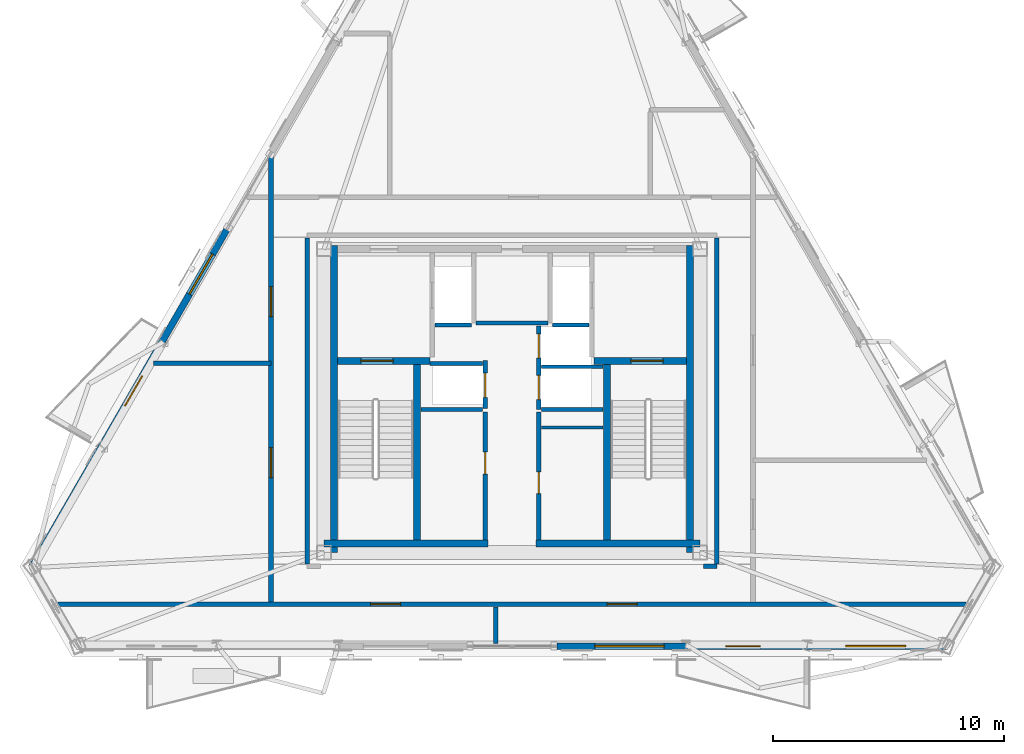
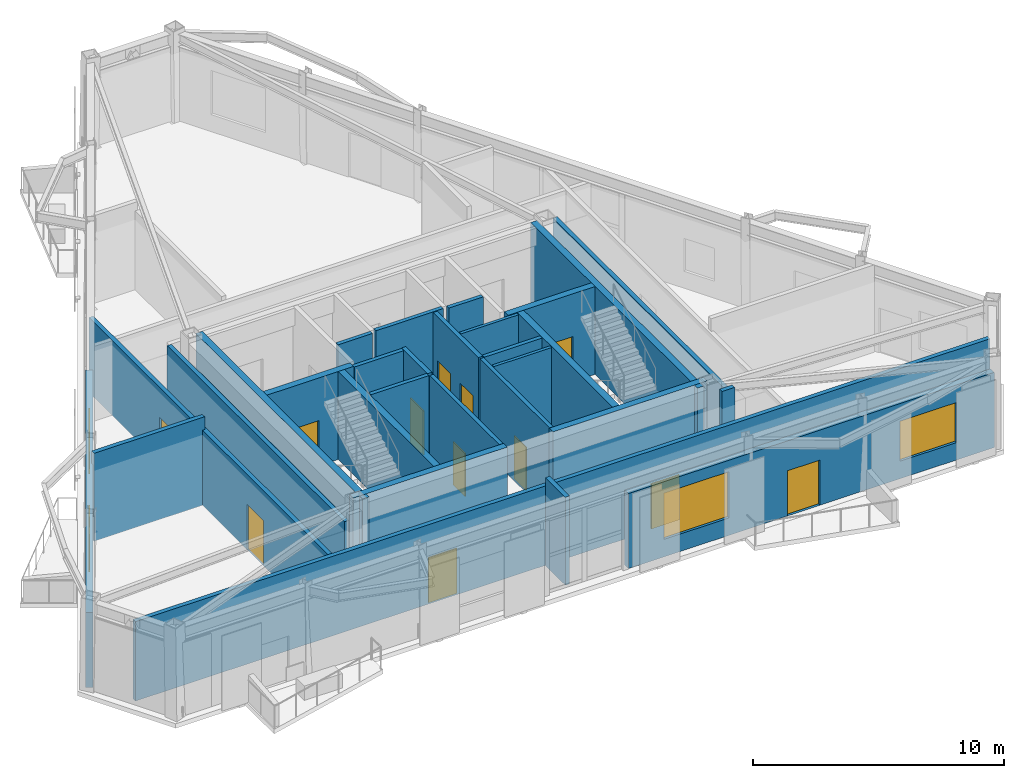
# One storey, part 10 of 16: 29 walls, 13 doors, 3 windows, 16 openings.
"""IFC4 building model written with IfcOpenShell, lengths in metres."""

from ifc_helpers import new_model, si_unit, direction, frame, frame_2d, origin, place, context, subcontext, project, spatial, rectangle, extrude, material, layer, layer_set, type_object, element, fill, save


model = new_model("IFC4")

# Units and contexts
model_context = context("Model", 3, precision=1e-05, world=origin(), true_north=direction((0.0, 1.0)))
body_context = subcontext(model_context, "Body", "Model", "MODEL_VIEW")
ifc_project = project(units=[si_unit("LENGTHUNIT", "METRE"), si_unit("AREAUNIT", "SQUARE_METRE"), si_unit("VOLUMEUNIT", "CUBIC_METRE"), si_unit("PLANEANGLEUNIT", "RADIAN"), si_unit("MASSUNIT", "GRAM", prefix="KILO")], contexts=[model_context])

# Site, building, storey
site_placement = place(None, origin())
site = spatial("IfcSite", under=ifc_project, at=site_placement, CompositionType="ELEMENT")
building_placement = place(site_placement, origin())
building = spatial("IfcBuilding", under=site, at=building_placement, Name="Oramaril Tower", CompositionType="ELEMENT")
storey_placement = place(building_placement, frame((0.0, 0.0, 296.699951171875)))
storey = spatial("IfcBuildingStorey", under=building, at=storey_placement, Name="L78", CompositionType="ELEMENT", Elevation=296.699951171875)

# Wall, openings, door, windows
ifc_material_1 = material(Name="Warm Cream Limestone", Category="masonry")
ifc_layer_1 = layer(ifc_material_1, 0.2900390625)
ifc_layer_set_1 = layer_set([ifc_layer_1], Name="WT-EXT29")
wall_type_1 = type_object("IfcWallType", Name="WT-EXT29", PredefinedType="SOLIDWALL", material=ifc_layer_set_1)
wall_1_placement = place(storey_placement, frame((39.449951171875, 6.94140625, 0.0), z_axis=(0.0, 0.0, 1.0), x_axis=(1.0, 0.0, 0.0)))
wall_1 = element("IfcWall", 1, at=wall_1_placement, inside=storey, type_object=wall_type_1, Name="L78 Tower Limestone Facade Wall 2R", PredefinedType="SOLIDWALL", context=body_context, shape_type="SweptSolid", body=[
    extrude(rectangle(XDim=16.857177734375, YDim=0.2900390625, at=frame_2d((8.4287109375, 0.0))), origin(), (0.0, 0.0, 1.0), 3.657958984375),
])
opening_1_placement = place(wall_1_placement, frame((7.32275390625, 0.0, 0.0)))
opening_1 = element("IfcOpeningElement", 2, at=opening_1_placement, cuts=wall_1, Name="Opening D-L78-BAL-S2", PredefinedType="OPENING", context=body_context, shape_type="SweptSolid", body=[
    extrude(rectangle(XDim=1.5, YDim=2.199951171875, at=frame_2d((0.75, 1.10009765625))), frame((0.0, 0.14501953125, 0.0), z_axis=(0.0, -1.0, 0.0), x_axis=(1.0, 0.0, 0.0)), (0.0, 0.0, 1.0), 0.2900390625),
])
opening_2_placement = place(wall_1_placement, frame((1.64453125, 0.0, 0.85009765625)))
opening_2 = element("IfcOpeningElement", 3, at=opening_2_placement, cuts=wall_1, Name="Opening WN-10", PredefinedType="OPENING", context=body_context, shape_type="SweptSolid", body=[
    extrude(rectangle(XDim=3.0, YDim=2.25, at=frame_2d((1.5, 1.125))), frame((0.0, 0.14501953125, 0.0), z_axis=(0.0, -1.0, 0.0), x_axis=(1.0, 0.0, 0.0)), (0.0, 0.0, 1.0), 0.2900390625),
])
opening_3_placement = place(wall_1_placement, frame((12.512451171875, 0.0, 0.85009765625)))
opening_3 = element("IfcOpeningElement", 4, at=opening_3_placement, cuts=wall_1, Name="Opening WN-02", PredefinedType="OPENING", context=body_context, shape_type="SweptSolid", body=[
    extrude(rectangle(XDim=2.60009765625, YDim=1.949951171875, at=frame_2d((1.300048828125, 0.97509765625))), frame((0.0, 0.14501953125, 0.0), z_axis=(0.0, -1.0, 0.0), x_axis=(1.0, 0.0, 0.0)), (0.0, 0.0, 1.0), 0.2900390625),
])
ifc_material_2 = material(Name="Anodised Aluminium 6063-T6", Category="aluminium")
door_type_1 = type_object("IfcDoorType", Name="DT-BAL", OperationType="NOTDEFINED", PredefinedType="DOOR", material=ifc_material_2)
door_1_placement = place(opening_1_placement, origin())
door_1 = element("IfcDoor", 5, at=door_1_placement, inside=storey, type_object=door_type_1, Name="L78 Balcony Glazed Door L78-BAL-S2", OperationType="SINGLE_SWING_RIGHT", OverallHeight=2.199951171875, OverallWidth=1.5, PredefinedType="DOOR", context=body_context, shape_type="SweptSolid", body=[
    extrude(rectangle(XDim=1.5, YDim=2.199951171875, at=frame_2d((0.75, 1.10009765625))), frame((0.0, 0.02490234375, 0.0), z_axis=(0.0, -1.0, 0.0), x_axis=(1.0, 0.0, 0.0)), (0.0, 0.0, 1.0), 0.050048828125),
])
fill(opening_1, door_1)
ifc_material_3 = material(Name="Coastal Low-E Insulated Glass", Category="glass")
window_type_1 = type_object("IfcWindowType", Name="WNT-02", PartitioningType="SINGLE_PANEL", PredefinedType="WINDOW", material=ifc_material_3)
window_1_placement = place(opening_3_placement, origin())
window_1 = element("IfcWindow", 6, at=window_1_placement, inside=storey, type_object=window_type_1, Name="L78 Chicago Bay Window WN-02", OverallHeight=1.949951171875, OverallWidth=2.60009765625, PartitioningType="SINGLE_PANEL", PredefinedType="WINDOW", context=body_context, shape_type="SweptSolid", body=[
    extrude(rectangle(XDim=2.60009765625, YDim=1.949951171875, at=frame_2d((1.300048828125, 0.97509765625))), frame((0.0, 0.030029296875, 0.0), z_axis=(0.0, -1.0, 0.0), x_axis=(1.0, 0.0, 0.0)), (0.0, 0.0, 1.0), 0.06005859375),
])
fill(opening_3, window_1)
ifc_material_4 = material(Name="Coastal Low-E Insulated Glass", Category="glass")
window_type_2 = type_object("IfcWindowType", Name="WNT-10", PartitioningType="SINGLE_PANEL", PredefinedType="WINDOW", material=ifc_material_4)
window_2_placement = place(opening_2_placement, origin())
window_2 = element("IfcWindow", 7, at=window_2_placement, inside=storey, type_object=window_type_2, Name="L78 Chicago Bay Window WN-10", OverallHeight=2.25, OverallWidth=3.0, PartitioningType="SINGLE_PANEL", PredefinedType="WINDOW", context=body_context, shape_type="SweptSolid", body=[
    extrude(rectangle(XDim=3.0, YDim=2.25, at=frame_2d((1.5, 1.125))), frame((0.0, 0.030029296875, 0.0), z_axis=(0.0, -1.0, 0.0), x_axis=(1.0, 0.0, 0.0)), (0.0, 0.0, 1.0), 0.06005859375),
])
fill(opening_2, window_2)

# Wall, openings, door, window
wall_2_placement = place(storey_placement, frame((25.12939453125, 24.990478515625, 0.0), z_axis=(0.0, 0.0, 1.0), x_axis=(-0.500008291124, -0.866020616849, 0.0)))
wall_2 = element("IfcWall", 8, at=wall_2_placement, inside=storey, type_object=wall_type_1, Name="L78 Tower Limestone Facade Wall 6R", PredefinedType="SOLIDWALL", context=body_context, shape_type="SweptSolid", body=[
    extrude(rectangle(XDim=16.857177734375, YDim=0.2900390625, at=frame_2d((8.4287109375, 0.0))), origin(), (0.0, 0.0, 1.0), 3.657958984375),
])
opening_4_placement = place(wall_2_placement, frame((7.32275390625, 0.0, 0.0)))
opening_4 = element("IfcOpeningElement", 9, at=opening_4_placement, cuts=wall_2, Name="Opening D-L78-BAL-NW2", PredefinedType="OPENING", context=body_context, shape_type="SweptSolid", body=[
    extrude(rectangle(XDim=1.5, YDim=2.199951171875, at=frame_2d((0.75, 1.10009765625))), frame((0.0, 0.14501953125, 0.0), z_axis=(0.0, -1.0, 0.0), x_axis=(1.0, 0.0, 0.0)), (0.0, 0.0, 1.0), 0.2900390625),
])
opening_5_placement = place(wall_2_placement, frame((1.218017578125, 0.0, 0.85009765625)))
opening_5 = element("IfcOpeningElement", 10, at=opening_5_placement, cuts=wall_2, Name="Opening WN-05", PredefinedType="OPENING", context=body_context, shape_type="SweptSolid", body=[
    extrude(rectangle(XDim=2.0, YDim=1.800048828125, at=frame_2d((1.0, 0.89990234375))), frame((0.0, 0.14501953125, 0.0), z_axis=(0.0, -1.0, 0.0), x_axis=(1.0, 0.0, 0.0)), (0.0, 0.0, 1.0), 0.2900390625),
])
door_2_placement = place(opening_4_placement, origin())
door_2 = element("IfcDoor", 11, at=door_2_placement, inside=storey, type_object=door_type_1, Name="L78 Balcony Glazed Door L78-BAL-NW2", OperationType="SINGLE_SWING_RIGHT", OverallHeight=2.199951171875, OverallWidth=1.5, PredefinedType="DOOR", context=body_context, shape_type="SweptSolid", body=[
    extrude(rectangle(XDim=1.5, YDim=2.199951171875, at=frame_2d((0.75, 1.10009765625))), frame((0.0, 0.02490234375, 0.0), z_axis=(0.0, -1.0, 0.0), x_axis=(1.0, 0.0, 0.0)), (0.0, 0.0, 1.0), 0.050048828125),
])
fill(opening_4, door_2)
ifc_material_5 = material(Name="Coastal Low-E Insulated Glass", Category="glass")
window_type_3 = type_object("IfcWindowType", Name="WNT-05", PartitioningType="SINGLE_PANEL", PredefinedType="WINDOW", material=ifc_material_5)
window_3_placement = place(opening_5_placement, origin())
window_3 = element("IfcWindow", 12, at=window_3_placement, inside=storey, type_object=window_type_3, Name="L78 Chicago Bay Window WN-05", OverallHeight=1.800048828125, OverallWidth=2.0, PartitioningType="SINGLE_PANEL", PredefinedType="WINDOW", context=body_context, shape_type="SweptSolid", body=[
    extrude(rectangle(XDim=2.0, YDim=1.800048828125, at=frame_2d((1.0, 0.89990234375))), frame((0.0, 0.030029296875, 0.0), z_axis=(0.0, -1.0, 0.0), x_axis=(1.0, 0.0, 0.0)), (0.0, 0.0, 1.0), 0.06005859375),
])
fill(opening_5, window_3)

# Walls
ifc_material_6 = material(Name="Acoustic Gypsum Board Partition")
ifc_layer_2 = layer(ifc_material_6, 0.139892578125)
ifc_layer_set_2 = layer_set([ifc_layer_2], Name="WT-PT14")
wall_type_2 = type_object("IfcWallType", Name="WT-PT14", PredefinedType="PARTITIONING", material=ifc_layer_set_2)
for number, where, z_axis, x_axis, name in (
    (13, (38.780029296875, 19.050048828125, 0.0), (0.0, 0.0, 1.0), (1.0, 0.0, 0.0), "L78 High-Rise Lift H2-H3 Divider"),
    (14, (38.780029296875, 16.419921875, 0.0), (0.0, 0.0, 1.0), (1.0, 0.0, 0.0), "L78 Freed Shaft North Closure"),
):
    element("IfcWall", number, at=place(storey_placement, frame(where, z_axis=z_axis, x_axis=x_axis)), inside=storey, type_object=wall_type_2, Name=name, PredefinedType="PARTITIONING", context=body_context, shape_type="SweptSolid", body=[
        extrude(rectangle(XDim=2.659912109375, YDim=0.139892578125, at=frame_2d((1.330078125, 0.0))), origin(), (0.0, 0.0, 1.0), 4.280029296875),
    ])
ifc_material_7 = material(Name="Autoclaved Cellular Concrete Block", Category="concrete")
ifc_layer_3 = layer(ifc_material_7, 0.179931640625)
ifc_layer_set_3 = layer_set([ifc_layer_3], Name="WT-PT18")
wall_type_3 = type_object("IfcWallType", Name="WT-PT18", PredefinedType="PARTITIONING", material=ifc_layer_set_3)
for number, where, z_axis, x_axis, name in (
    (15, (34.159912109375, 20.860107421875, 0.0), (0.0, 0.0, 1.0), (1.0, 0.0, 0.0), "L78 FL-1 South Shaft Wall"),
    (16, (39.260009765625, 20.860107421875, 0.0), (0.0, 0.0, 1.0), (1.0, 0.0, 0.0), "L78 FL-2 South Shaft Wall"),
):
    element("IfcWall", number, at=place(storey_placement, frame(where, z_axis=z_axis, x_axis=x_axis)), inside=storey, type_object=wall_type_3, Name=name, PredefinedType="PARTITIONING", context=body_context, shape_type="SweptSolid", body=[
        extrude(rectangle(XDim=1.580078125, YDim=0.179931640625, at=frame_2d((0.7900390625, 0.0))), origin(), (0.0, 0.0, 1.0), 4.280029296875),
    ])
wall_3_placement = place(storey_placement, frame((33.949951171875, 19.199951171875, 0.0), z_axis=(0.0, 0.0, 1.0), x_axis=(1.0, 0.0, 0.0)))
element("IfcWall", 17, at=wall_3_placement, inside=storey, type_object=wall_type_3, Name="L78 High-Rise Lift H1 North Shaft Wall", PredefinedType="PARTITIONING", context=body_context, shape_type="SweptSolid", body=[
    extrude(rectangle(XDim=2.27001953125, YDim=0.179931640625, at=frame_2d((1.135009765625, 0.0))), origin(), (0.0, 0.0, 1.0), 4.280029296875),
])
wall_4_placement = place(storey_placement, frame((33.56005859375, 17.199951171875, 0.0), z_axis=(0.0, 0.0, 1.0), x_axis=(1.0, 0.0, 0.0)))
element("IfcWall", 18, at=wall_4_placement, inside=storey, type_object=wall_type_3, Name="L78 High-Rise Lift H1 South Wall", PredefinedType="PARTITIONING", context=body_context, shape_type="SweptSolid", body=[
    extrude(rectangle(XDim=2.659912109375, YDim=0.179931640625, at=frame_2d((1.330078125, 0.0))), origin(), (0.0, 0.0, 1.0), 4.280029296875),
])

# Wall, opening, door
wall_5_placement = place(storey_placement, frame((36.340087890625, 11.550048828125, 0.0), z_axis=(0.0, 0.0, 1.0), x_axis=(0.0, 1.0, 0.0)))
wall_5 = element("IfcWall", 19, at=wall_5_placement, inside=storey, type_object=wall_type_3, Name="L78 Freed Shaft Study East Wall", PredefinedType="PARTITIONING", context=body_context, shape_type="SweptSolid", body=[
    extrude(rectangle(XDim=5.550048828125, YDim=0.179931640625, at=frame_2d((2.77490234375, 0.0))), origin(), (0.0, 0.0, 1.0), 4.280029296875),
])
opening_6_placement = place(wall_5_placement, frame((2.85009765625, 0.0, 0.0)))
opening_6 = element("IfcOpeningElement", 20, at=opening_6_placement, cuts=wall_5, Name="Opening D-L78-FL1", PredefinedType="OPENING", context=body_context, shape_type="SweptSolid", body=[
    extrude(rectangle(XDim=0.949951171875, YDim=2.10009765625, at=frame_2d((0.47509765625, 1.050048828125))), frame((0.0, 0.08984375, 0.0), z_axis=(0.0, -1.0, 0.0), x_axis=(1.0, 0.0, 0.0)), (0.0, 0.0, 1.0), 0.179931640625),
])
ifc_material_8 = material(Name="FSC Brazilian Freijo Hardwood", Category="wood")
door_type_2 = type_object("IfcDoorType", Name="DT-STDY", OperationType="NOTDEFINED", PredefinedType="DOOR", material=ifc_material_8)
door_3_placement = place(opening_6_placement, origin())
door_3 = element("IfcDoor", 21, at=door_3_placement, inside=storey, type_object=door_type_2, Name="L78 L78 Sky Concierge Office Door", OperationType="SINGLE_SWING_LEFT", OverallHeight=2.10009765625, OverallWidth=0.949951171875, PredefinedType="DOOR", context=body_context, shape_type="SweptSolid", body=[
    extrude(rectangle(XDim=0.949951171875, YDim=2.10009765625, at=frame_2d((0.47509765625, 1.050048828125))), frame((0.0, 0.02490234375, 0.0), z_axis=(0.0, -1.0, 0.0), x_axis=(1.0, 0.0, 0.0)), (0.0, 0.0, 1.0), 0.050048828125),
])
fill(opening_6, door_3)

# Wall
wall_6_placement = place(storey_placement, frame((38.780029296875, 17.199951171875, 0.0), z_axis=(0.0, 0.0, 1.0), x_axis=(1.0, 0.0, 0.0)))
element("IfcWall", 22, at=wall_6_placement, inside=storey, type_object=wall_type_3, Name="L78 High-Rise Lift H2 South Wall", PredefinedType="PARTITIONING", context=body_context, shape_type="SweptSolid", body=[
    extrude(rectangle(XDim=2.659912109375, YDim=0.179931640625, at=frame_2d((1.330078125, 0.0))), origin(), (0.0, 0.0, 1.0), 4.280029296875),
])

# Wall, opening, door
wall_7_placement = place(storey_placement, frame((38.659912109375, 11.550048828125, 0.0), z_axis=(0.0, 0.0, 1.0), x_axis=(0.0, 1.0, 0.0)))
wall_7 = element("IfcWall", 23, at=wall_7_placement, inside=storey, type_object=wall_type_3, Name="L78 Freed Shaft Alcove West Wall", PredefinedType="PARTITIONING", context=body_context, shape_type="SweptSolid", body=[
    extrude(rectangle(XDim=5.550048828125, YDim=0.179931640625, at=frame_2d((2.77490234375, 0.0))), origin(), (0.0, 0.0, 1.0), 4.280029296875),
])
opening_7_placement = place(wall_7_placement, frame((2.0, 0.0, 0.0)))
opening_7 = element("IfcOpeningElement", 24, at=opening_7_placement, cuts=wall_7, Name="Opening D-L78-FM1", PredefinedType="OPENING", context=body_context, shape_type="SweptSolid", body=[
    extrude(rectangle(XDim=0.949951171875, YDim=2.10009765625, at=frame_2d((0.47509765625, 1.050048828125))), frame((0.0, 0.08984375, 0.0), z_axis=(0.0, -1.0, 0.0), x_axis=(1.0, 0.0, 0.0)), (0.0, 0.0, 1.0), 0.179931640625),
])
door_4_placement = place(opening_7_placement, origin())
door_4 = element("IfcDoor", 25, at=door_4_placement, inside=storey, type_object=door_type_2, Name="L78 L78 Sky Sommelier Cellar Door", OperationType="SINGLE_SWING_RIGHT", OverallHeight=2.10009765625, OverallWidth=0.949951171875, PredefinedType="DOOR", context=body_context, shape_type="SweptSolid", body=[
    extrude(rectangle(XDim=0.949951171875, YDim=2.10009765625, at=frame_2d((0.47509765625, 1.050048828125))), frame((0.0, 0.02490234375, 0.0), z_axis=(0.0, -1.0, 0.0), x_axis=(1.0, 0.0, 0.0)), (0.0, 0.0, 1.0), 0.050048828125),
])
fill(opening_7, door_4)

# Wall
wall_8_placement = place(storey_placement, frame((35.949951171875, 20.949951171875, 0.0), z_axis=(0.0, 0.0, 1.0), x_axis=(1.0, 0.0, 0.0)))
element("IfcWall", 26, at=wall_8_placement, inside=storey, type_object=wall_type_3, Name="L78 Lift Lobby North Partition", PredefinedType="PARTITIONING", context=body_context, shape_type="SweptSolid", body=[
    extrude(rectangle(XDim=3.10009765625, YDim=0.179931640625, at=frame_2d((1.550048828125, 0.0))), origin(), (0.0, 0.0, 1.0), 4.280029296875),
])

# Wall, openings, doors
ifc_material_9 = material(Name="Autoclaved Cellular Concrete Block", Category="concrete")
ifc_layer_4 = layer(ifc_material_9, 0.199951171875)
ifc_layer_set_4 = layer_set([ifc_layer_4], Name="WT-PT20")
wall_type_4 = type_object("IfcWallType", Name="WT-PT20", PredefinedType="PARTITIONING", material=ifc_layer_set_4)
wall_9_placement = place(storey_placement, frame((17.82080078125, 8.75, 0.0), z_axis=(0.0, 0.0, 1.0), x_axis=(1.0, 0.0, 0.0)))
wall_9 = element("IfcWall", 27, at=wall_9_placement, inside=storey, type_object=wall_type_4, Name="L78 Interior Partition PT-20", PredefinedType="PARTITIONING", context=body_context, shape_type="SweptSolid", body=[
    extrude(rectangle(XDim=39.3583984375, YDim=0.199951171875, at=frame_2d((19.67919921875, 0.0))), origin(), (0.0, 0.0, 1.0), 3.865966796875),
])
opening_8_placement = place(wall_9_placement, frame((13.554931640625, 0.0, 0.0)))
opening_8 = element("IfcOpeningElement", 28, at=opening_8_placement, cuts=wall_9, Name="Opening D-L78-01", PredefinedType="OPENING", context=body_context, shape_type="SweptSolid", body=[
    extrude(rectangle(XDim=1.300048828125, YDim=2.199951171875, at=frame_2d((0.64990234375, 1.10009765625))), frame((0.0, 0.10009765625, 0.0), z_axis=(0.0, -1.0, 0.0), x_axis=(1.0, 0.0, 0.0)), (0.0, 0.0, 1.0), 0.199951171875),
])
opening_9_placement = place(wall_9_placement, frame((23.80419921875, 0.0, 0.0)))
opening_9 = element("IfcOpeningElement", 29, at=opening_9_placement, cuts=wall_9, Name="Opening D-L78-02", PredefinedType="OPENING", context=body_context, shape_type="SweptSolid", body=[
    extrude(rectangle(XDim=1.300048828125, YDim=2.199951171875, at=frame_2d((0.64990234375, 1.10009765625))), frame((0.0, 0.10009765625, 0.0), z_axis=(0.0, -1.0, 0.0), x_axis=(1.0, 0.0, 0.0)), (0.0, 0.0, 1.0), 0.199951171875),
])
ifc_material_10 = material(Name="FSC Brazilian Freijo Hardwood", Category="wood")
door_type_3 = type_object("IfcDoorType", Name="DT-COM", OperationType="NOTDEFINED", PredefinedType="DOOR", material=ifc_material_10)
door_5_placement = place(opening_8_placement, origin())
door_5 = element("IfcDoor", 30, at=door_5_placement, inside=storey, type_object=door_type_3, Name="L78 L78 Panoramic Sky Lounge Door D-L78-01", OperationType="SINGLE_SWING_RIGHT", OverallHeight=2.199951171875, OverallWidth=1.300048828125, PredefinedType="DOOR", context=body_context, shape_type="SweptSolid", body=[
    extrude(rectangle(XDim=1.300048828125, YDim=2.199951171875, at=frame_2d((0.64990234375, 1.10009765625))), frame((0.0, 0.02490234375, 0.0), z_axis=(0.0, -1.0, 0.0), x_axis=(1.0, 0.0, 0.0)), (0.0, 0.0, 1.0), 0.050048828125),
])
fill(opening_8, door_5)
door_6_placement = place(opening_9_placement, origin())
door_6 = element("IfcDoor", 31, at=door_6_placement, inside=storey, type_object=door_type_3, Name="L78 L78 Sky Dining Room and Bistro Door D-L78-02", OperationType="SINGLE_SWING_LEFT", OverallHeight=2.199951171875, OverallWidth=1.300048828125, PredefinedType="DOOR", context=body_context, shape_type="SweptSolid", body=[
    extrude(rectangle(XDim=1.300048828125, YDim=2.199951171875, at=frame_2d((0.64990234375, 1.10009765625))), frame((0.0, 0.02490234375, 0.0), z_axis=(0.0, -1.0, 0.0), x_axis=(1.0, 0.0, 0.0)), (0.0, 0.0, 1.0), 0.050048828125),
])
fill(opening_9, door_6)

# Walls
wall_10_placement = place(storey_placement, frame((45.800048828125, 10.39990234375, 0.0), z_axis=(0.0, 0.0, 1.0), x_axis=(1.0, 0.0, 0.0)))
element("IfcWall", 32, at=wall_10_placement, inside=storey, type_object=wall_type_4, Name="L78 Interior Partition PT-20", PredefinedType="PARTITIONING", context=body_context, shape_type="SweptSolid", body=[
    extrude(rectangle(XDim=0.579833984375, YDim=0.199951171875, at=frame_2d((0.2900390625, 0.0))), origin(), (0.0, 0.0, 1.0), 4.280029296875),
])
wall_11_placement = place(storey_placement, frame((21.958251953125, 19.199951171875, 0.0), z_axis=(0.0, 0.0, 1.0), x_axis=(1.0, 0.0, 0.0)))
element("IfcWall", 33, at=wall_11_placement, inside=storey, type_object=wall_type_4, Name="L78 Interior Partition PT-20", PredefinedType="PARTITIONING", context=body_context, shape_type="SweptSolid", body=[
    extrude(rectangle(XDim=5.091796875, YDim=0.199951171875, at=frame_2d((2.5458984375, 0.0))), origin(), (0.0, 0.0, 1.0), 4.280029296875),
])

# Wall, openings, doors
wall_12_placement = place(storey_placement, frame((27.050048828125, 8.85400390625, 0.0), z_axis=(0.0, 0.0, 1.0), x_axis=(0.0, 1.0, 0.0)))
wall_12 = element("IfcWall", 34, at=wall_12_placement, inside=storey, type_object=wall_type_4, Name="L78 Interior Partition PT-20", PredefinedType="PARTITIONING", context=body_context, shape_type="SweptSolid", body=[
    extrude(rectangle(XDim=19.30322265625, YDim=0.199951171875, at=frame_2d((9.651611328125, 0.0))), origin(), (0.0, 0.0, 1.0), 3.657958984375),
])
opening_10_placement = place(wall_12_placement, frame((5.396240234375, 0.0, 0.0)))
opening_10 = element("IfcOpeningElement", 35, at=opening_10_placement, cuts=wall_12, Name="Opening D-L78-06", PredefinedType="OPENING", context=body_context, shape_type="SweptSolid", body=[
    extrude(rectangle(XDim=1.300048828125, YDim=2.199951171875, at=frame_2d((0.64990234375, 1.10009765625))), frame((0.0, 0.10009765625, 0.0), z_axis=(0.0, -1.0, 0.0), x_axis=(1.0, 0.0, 0.0)), (0.0, 0.0, 1.0), 0.199951171875),
])
opening_11_placement = place(wall_12_placement, frame((12.37060546875, 0.0, 0.0)))
opening_11 = element("IfcOpeningElement", 36, at=opening_11_placement, cuts=wall_12, Name="Opening D-L78-07", PredefinedType="OPENING", context=body_context, shape_type="SweptSolid", body=[
    extrude(rectangle(XDim=1.300048828125, YDim=2.199951171875, at=frame_2d((0.64990234375, 1.10009765625))), frame((0.0, 0.10009765625, 0.0), z_axis=(0.0, -1.0, 0.0), x_axis=(1.0, 0.0, 0.0)), (0.0, 0.0, 1.0), 0.199951171875),
])
door_7_placement = place(opening_10_placement, origin())
door_7 = element("IfcDoor", 37, at=door_7_placement, inside=storey, type_object=door_type_3, Name="L78 L78 Sky Catering Kitchen Door D-L78-06", OperationType="SINGLE_SWING_LEFT", OverallHeight=2.199951171875, OverallWidth=1.300048828125, PredefinedType="DOOR", context=body_context, shape_type="SweptSolid", body=[
    extrude(rectangle(XDim=1.300048828125, YDim=2.199951171875, at=frame_2d((0.64990234375, 1.10009765625))), frame((0.0, 0.02490234375, 0.0), z_axis=(0.0, -1.0, 0.0), x_axis=(1.0, 0.0, 0.0)), (0.0, 0.0, 1.0), 0.050048828125),
])
fill(opening_10, door_7)
door_8_placement = place(opening_11_placement, origin())
door_8 = element("IfcDoor", 38, at=door_8_placement, inside=storey, type_object=door_type_3, Name="L78 L78 Sky Reading Study Door D-L78-07", OperationType="SINGLE_SWING_RIGHT", OverallHeight=2.199951171875, OverallWidth=1.300048828125, PredefinedType="DOOR", context=body_context, shape_type="SweptSolid", body=[
    extrude(rectangle(XDim=1.300048828125, YDim=2.199951171875, at=frame_2d((0.64990234375, 1.10009765625))), frame((0.0, 0.02490234375, 0.0), z_axis=(0.0, -1.0, 0.0), x_axis=(1.0, 0.0, 0.0)), (0.0, 0.0, 1.0), 0.050048828125),
])
fill(opening_11, door_8)

# Walls
wall_13_placement = place(storey_placement, frame((28.6201171875, 10.50390625, 0.0), z_axis=(0.0, 0.0, 1.0), x_axis=(0.0, 1.0, 0.0)))
element("IfcWall", 39, at=wall_13_placement, inside=storey, type_object=wall_type_4, Name="L78 Interior Partition PT-20", PredefinedType="PARTITIONING", context=body_context, shape_type="SweptSolid", body=[
    extrude(rectangle(XDim=14.14208984375, YDim=0.199951171875, at=frame_2d((7.071044921875, 0.0))), origin(), (0.0, 0.0, 1.0), 3.865966796875),
])
wall_14_placement = place(storey_placement, frame((36.800048828125, 7.055419921875, 0.0), z_axis=(0.0, 0.0, 1.0), x_axis=(0.0, 1.0, 0.0)))
element("IfcWall", 40, at=wall_14_placement, inside=storey, type_object=wall_type_4, Name="L78 Interior Partition PT-20", PredefinedType="PARTITIONING", context=body_context, shape_type="SweptSolid", body=[
    extrude(rectangle(XDim=1.590576171875, YDim=0.199951171875, at=frame_2d((0.79541015625, 0.0))), origin(), (0.0, 0.0, 1.0), 4.280029296875),
])
wall_15_placement = place(storey_placement, frame((46.3798828125, 10.50390625, 0.0), z_axis=(0.0, 0.0, 1.0), x_axis=(0.0, 1.0, 0.0)))
element("IfcWall", 41, at=wall_15_placement, inside=storey, type_object=wall_type_4, Name="L78 Interior Partition PT-20", PredefinedType="PARTITIONING", context=body_context, shape_type="SweptSolid", body=[
    extrude(rectangle(XDim=14.14208984375, YDim=0.199951171875, at=frame_2d((7.071044921875, 0.0))), origin(), (0.0, 0.0, 1.0), 3.865966796875),
])
ifc_material_11 = material(Name="Concrete C50/60", Category="concrete")
ifc_layer_5 = layer(ifc_material_11, 0.300048828125)
ifc_layer_set_5 = layer_set([ifc_layer_5], Name="WT-SH30")
wall_type_5 = type_object("IfcWallType", Name="WT-SH30", PredefinedType="SHEAR", material=ifc_layer_set_5)
for number, where, z_axis, x_axis, name in (
    (42, (29.7900390625, 11.0, 0.0), (0.0, 0.0, 1.0), (0.0, 1.0, 0.0), "L78 Core Shear Wall CW-W"),
    (43, (45.2099609375, 11.0, 0.0), (0.0, 0.0, 1.0), (0.0, 1.0, 0.0), "L78 Core Shear Wall CW-E"),
):
    element("IfcWall", number, at=place(storey_placement, frame(where, z_axis=z_axis, x_axis=x_axis)), inside=storey, type_object=wall_type_5, Name=name, PredefinedType="SHEAR", context=body_context, shape_type="SweptSolid", body=[
        extrude(rectangle(XDim=13.300048828125, YDim=0.300048828125, at=frame_2d((6.64990234375, 0.0))), origin(), (0.0, 0.0, 1.0), 4.280029296875),
    ])
for number, where, z_axis, x_axis, name in (
    (44, (29.35009765625, 11.389892578125, 0.0), (0.0, 0.0, 1.0), (1.0, 0.0, 0.0), "L78 Core Shear Wall CW-SW"),
    (45, (38.550048828125, 11.389892578125, 0.0), (0.0, 0.0, 1.0), (1.0, 0.0, 0.0), "L78 Core Shear Wall CW-SE"),
):
    element("IfcWall", number, at=place(storey_placement, frame(where, z_axis=z_axis, x_axis=x_axis)), inside=storey, type_object=wall_type_5, Name=name, PredefinedType="SHEAR", context=body_context, shape_type="SweptSolid", body=[
        extrude(rectangle(XDim=7.099853515625, YDim=0.300048828125, at=frame_2d((3.5498046875, 0.0))), origin(), (0.0, 0.0, 1.0), 4.280029296875),
    ])

# Wall, opening, door
wall_16_placement = place(storey_placement, frame((29.93994140625, 19.31005859375, 0.0), z_axis=(0.0, 0.0, 1.0), x_axis=(1.0, 0.0, 0.0)))
wall_16 = element("IfcWall", 46, at=wall_16_placement, inside=storey, type_object=wall_type_5, Name="L78 Core Shear Wall CW-ST1N", PredefinedType="SHEAR", context=body_context, shape_type="SweptSolid", body=[
    extrude(rectangle(XDim=4.010009765625, YDim=0.300048828125, at=frame_2d((2.0048828125, 0.0))), origin(), (0.0, 0.0, 1.0), 4.280029296875),
])
opening_12_placement = place(wall_16_placement, frame((1.010009765625, 0.0, 0.0)))
opening_12 = element("IfcOpeningElement", 47, at=opening_12_placement, cuts=wall_16, Name="Opening D-L78-ST1", PredefinedType="OPENING", context=body_context, shape_type="SweptSolid", body=[
    extrude(rectangle(XDim=1.39990234375, YDim=2.199951171875, at=frame_2d((0.699951171875, 1.10009765625))), frame((0.0, 0.14990234375, 0.0), z_axis=(0.0, -1.0, 0.0), x_axis=(1.0, 0.0, 0.0)), (0.0, 0.0, 1.0), 0.300048828125),
])
ifc_material_12 = material(Name="Painted Galvanised Steel", Category="steel")
door_type_4 = type_object("IfcDoorType", Name="DT-ST", OperationType="NOTDEFINED", PredefinedType="DOOR", material=ifc_material_12)
door_9_placement = place(opening_12_placement, origin())
door_9 = element("IfcDoor", 48, at=door_9_placement, inside=storey, type_object=door_type_4, Name="L78 Protected Stair ST-1 Fire Door", OperationType="SINGLE_SWING_LEFT", OverallHeight=2.199951171875, OverallWidth=1.39990234375, PredefinedType="DOOR", context=body_context, shape_type="SweptSolid", body=[
    extrude(rectangle(XDim=1.39990234375, YDim=2.199951171875, at=frame_2d((0.699951171875, 1.10009765625))), frame((0.0, 0.02490234375, 0.0), z_axis=(0.0, -1.0, 0.0), x_axis=(1.0, 0.0, 0.0)), (0.0, 0.0, 1.0), 0.050048828125),
])
fill(opening_12, door_9)

wall_17_placement = place(storey_placement, frame((41.050048828125, 19.31005859375, 0.0), z_axis=(0.0, 0.0, 1.0), x_axis=(1.0, 0.0, 0.0)))
wall_17 = element("IfcWall", 49, at=wall_17_placement, inside=storey, type_object=wall_type_5, Name="L78 Core Shear Wall CW-ST2N", PredefinedType="SHEAR", context=body_context, shape_type="SweptSolid", body=[
    extrude(rectangle(XDim=4.010009765625, YDim=0.300048828125, at=frame_2d((2.0048828125, 0.0))), origin(), (0.0, 0.0, 1.0), 4.280029296875),
])
opening_13_placement = place(wall_17_placement, frame((1.60009765625, 0.0, 0.0)))
opening_13 = element("IfcOpeningElement", 50, at=opening_13_placement, cuts=wall_17, Name="Opening D-L78-ST2", PredefinedType="OPENING", context=body_context, shape_type="SweptSolid", body=[
    extrude(rectangle(XDim=1.39990234375, YDim=2.199951171875, at=frame_2d((0.699951171875, 1.10009765625))), frame((0.0, 0.14990234375, 0.0), z_axis=(0.0, -1.0, 0.0), x_axis=(1.0, 0.0, 0.0)), (0.0, 0.0, 1.0), 0.300048828125),
])
door_10_placement = place(opening_13_placement, origin())
door_10 = element("IfcDoor", 51, at=door_10_placement, inside=storey, type_object=door_type_4, Name="L78 Protected Stair ST-2 Fire Door", OperationType="SINGLE_SWING_RIGHT", OverallHeight=2.199951171875, OverallWidth=1.39990234375, PredefinedType="DOOR", context=body_context, shape_type="SweptSolid", body=[
    extrude(rectangle(XDim=1.39990234375, YDim=2.199951171875, at=frame_2d((0.699951171875, 1.10009765625))), frame((0.0, 0.02490234375, 0.0), z_axis=(0.0, -1.0, 0.0), x_axis=(1.0, 0.0, 0.0)), (0.0, 0.0, 1.0), 0.050048828125),
])
fill(opening_13, door_10)

# Walls
for number, where, z_axis, x_axis, name in (
    (52, (33.3798828125, 11.5400390625, 0.0), (0.0, 0.0, 1.0), (0.0, 1.0, 0.0), "L78 Core Shear Wall CW-ST1E"),
    (53, (41.6201171875, 11.5400390625, 0.0), (0.0, 0.0, 1.0), (0.0, 1.0, 0.0), "L78 Core Shear Wall CW-ST2W"),
):
    element("IfcWall", number, at=place(storey_placement, frame(where, z_axis=z_axis, x_axis=x_axis)), inside=storey, type_object=wall_type_5, Name=name, PredefinedType="SHEAR", context=body_context, shape_type="SweptSolid", body=[
        extrude(rectangle(XDim=7.619873046875, YDim=0.300048828125, at=frame_2d((3.81005859375, 0.0))), origin(), (0.0, 0.0, 1.0), 4.280029296875),
    ])

# Wall, opening, door
ifc_material_13 = material(Name="Autoclaved Cellular Concrete Block", Category="concrete")
ifc_layer_6 = layer(ifc_material_13, 0.199951171875)
ifc_layer_set_6 = layer_set([ifc_layer_6], Name="WT-SHF20")
wall_type_6 = type_object("IfcWallType", Name="WT-SHF20", PredefinedType="PARTITIONING", material=ifc_layer_set_6)
wall_18_placement = place(storey_placement, frame((36.340087890625, 17.25, 0.0), z_axis=(0.0, 0.0, 1.0), x_axis=(0.0, 1.0, 0.0)))
wall_18 = element("IfcWall", 54, at=wall_18_placement, inside=storey, type_object=wall_type_6, Name="L78 High-Rise Lift H1 Front Wall", PredefinedType="PARTITIONING", context=body_context, shape_type="SweptSolid", body=[
    extrude(rectangle(XDim=2.070068359375, YDim=0.199951171875, at=frame_2d((1.03515625, 0.0))), origin(), (0.0, 0.0, 1.0), 4.280029296875),
])
opening_14_placement = place(wall_18_placement, frame((0.47509765625, 0.0, 0.0)))
opening_14 = element("IfcOpeningElement", 55, at=opening_14_placement, cuts=wall_18, Name="Opening LD-L78-LP-H1", PredefinedType="OPENING", context=body_context, shape_type="SweptSolid", body=[
    extrude(rectangle(XDim=1.050048828125, YDim=2.14990234375, at=frame_2d((0.52490234375, 1.074951171875))), frame((0.0, 0.10009765625, 0.0), z_axis=(0.0, -1.0, 0.0), x_axis=(1.0, 0.0, 0.0)), (0.0, 0.0, 1.0), 0.199951171875),
])
ifc_material_14 = material(Name="Stainless Steel 316L", Category="steel")
door_type_5 = type_object("IfcDoorType", Name="DT-LD2", OperationType="NOTDEFINED", PredefinedType="DOOR", material=ifc_material_14)
door_11_placement = place(opening_14_placement, origin())
door_11 = element("IfcDoor", 56, at=door_11_placement, inside=storey, type_object=door_type_5, Name="L78 Lift LP-H1 Sliding Landing Door", OperationType="SLIDING_TO_LEFT", OverallHeight=2.14990234375, OverallWidth=1.050048828125, PredefinedType="DOOR", context=body_context, shape_type="SweptSolid", body=[
    extrude(rectangle(XDim=1.050048828125, YDim=2.14990234375, at=frame_2d((0.52490234375, 1.074951171875))), frame((0.0, 0.02490234375, 0.0), z_axis=(0.0, -1.0, 0.0), x_axis=(1.0, 0.0, 0.0)), (0.0, 0.0, 1.0), 0.050048828125),
])
fill(opening_14, door_11)

# Wall, openings, doors
wall_19_placement = place(storey_placement, frame((38.659912109375, 17.199951171875, 0.0), z_axis=(0.0, 0.0, 1.0), x_axis=(0.0, 1.0, 0.0)))
wall_19 = element("IfcWall", 57, at=wall_19_placement, inside=storey, type_object=wall_type_6, Name="L78 High-Rise Lift H2-H3 Front Wall", PredefinedType="PARTITIONING", context=body_context, shape_type="SweptSolid", body=[
    extrude(rectangle(XDim=3.6201171875, YDim=0.199951171875, at=frame_2d((1.81005859375, 0.0))), origin(), (0.0, 0.0, 1.0), 4.280029296875),
])
opening_15_placement = place(wall_19_placement, frame((0.425048828125, 0.0, 0.0)))
opening_15 = element("IfcOpeningElement", 58, at=opening_15_placement, cuts=wall_19, Name="Opening LD-L78-LP-H2", PredefinedType="OPENING", context=body_context, shape_type="SweptSolid", body=[
    extrude(rectangle(XDim=1.050048828125, YDim=2.14990234375, at=frame_2d((0.52490234375, 1.074951171875))), frame((0.0, 0.10009765625, 0.0), z_axis=(0.0, -1.0, 0.0), x_axis=(1.0, 0.0, 0.0)), (0.0, 0.0, 1.0), 0.199951171875),
])
opening_16_placement = place(wall_19_placement, frame((2.22509765625, 0.0, 0.0)))
opening_16 = element("IfcOpeningElement", 59, at=opening_16_placement, cuts=wall_19, Name="Opening LD-L78-LP-H3", PredefinedType="OPENING", context=body_context, shape_type="SweptSolid", body=[
    extrude(rectangle(XDim=1.050048828125, YDim=2.14990234375, at=frame_2d((0.52490234375, 1.074951171875))), frame((0.0, 0.10009765625, 0.0), z_axis=(0.0, -1.0, 0.0), x_axis=(1.0, 0.0, 0.0)), (0.0, 0.0, 1.0), 0.199951171875),
])
door_12_placement = place(opening_15_placement, origin())
door_12 = element("IfcDoor", 60, at=door_12_placement, inside=storey, type_object=door_type_5, Name="L78 Lift LP-H2 Sliding Landing Door", OperationType="SLIDING_TO_RIGHT", OverallHeight=2.14990234375, OverallWidth=1.050048828125, PredefinedType="DOOR", context=body_context, shape_type="SweptSolid", body=[
    extrude(rectangle(XDim=1.050048828125, YDim=2.14990234375, at=frame_2d((0.52490234375, 1.074951171875))), frame((0.0, 0.02490234375, 0.0), z_axis=(0.0, -1.0, 0.0), x_axis=(1.0, 0.0, 0.0)), (0.0, 0.0, 1.0), 0.050048828125),
])
fill(opening_15, door_12)
door_13_placement = place(opening_16_placement, origin())
door_13 = element("IfcDoor", 61, at=door_13_placement, inside=storey, type_object=door_type_5, Name="L78 Lift LP-H3 Sliding Landing Door", OperationType="SLIDING_TO_LEFT", OverallHeight=2.14990234375, OverallWidth=1.050048828125, PredefinedType="DOOR", context=body_context, shape_type="SweptSolid", body=[
    extrude(rectangle(XDim=1.050048828125, YDim=2.14990234375, at=frame_2d((0.52490234375, 1.074951171875))), frame((0.0, 0.02490234375, 0.0), z_axis=(0.0, -1.0, 0.0), x_axis=(1.0, 0.0, 0.0)), (0.0, 0.0, 1.0), 0.050048828125),
])
fill(opening_16, door_13)

save(model, "model.ifc")
